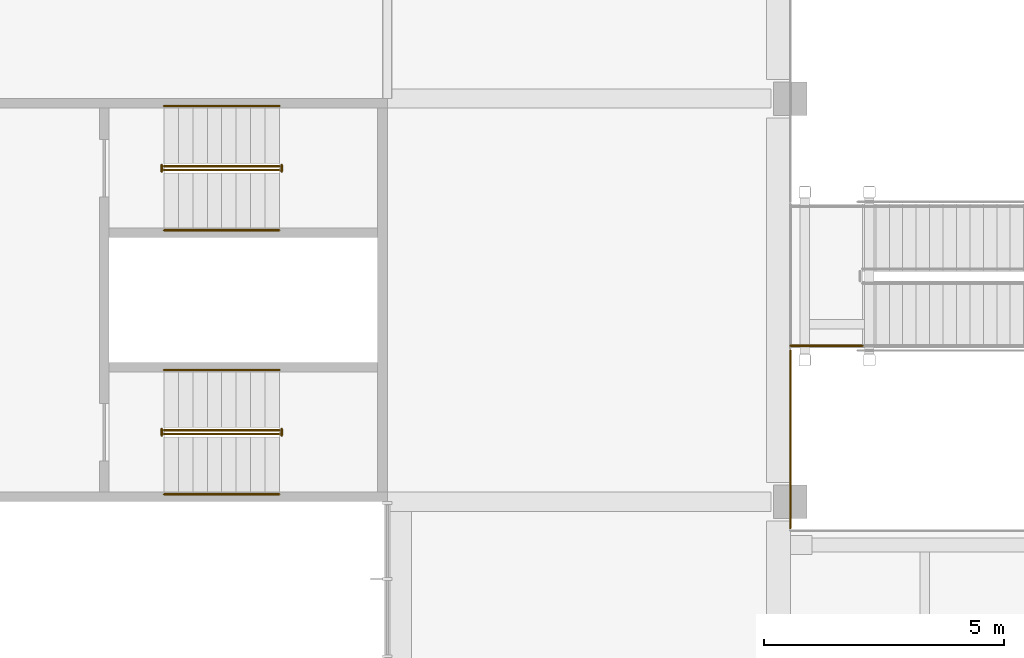
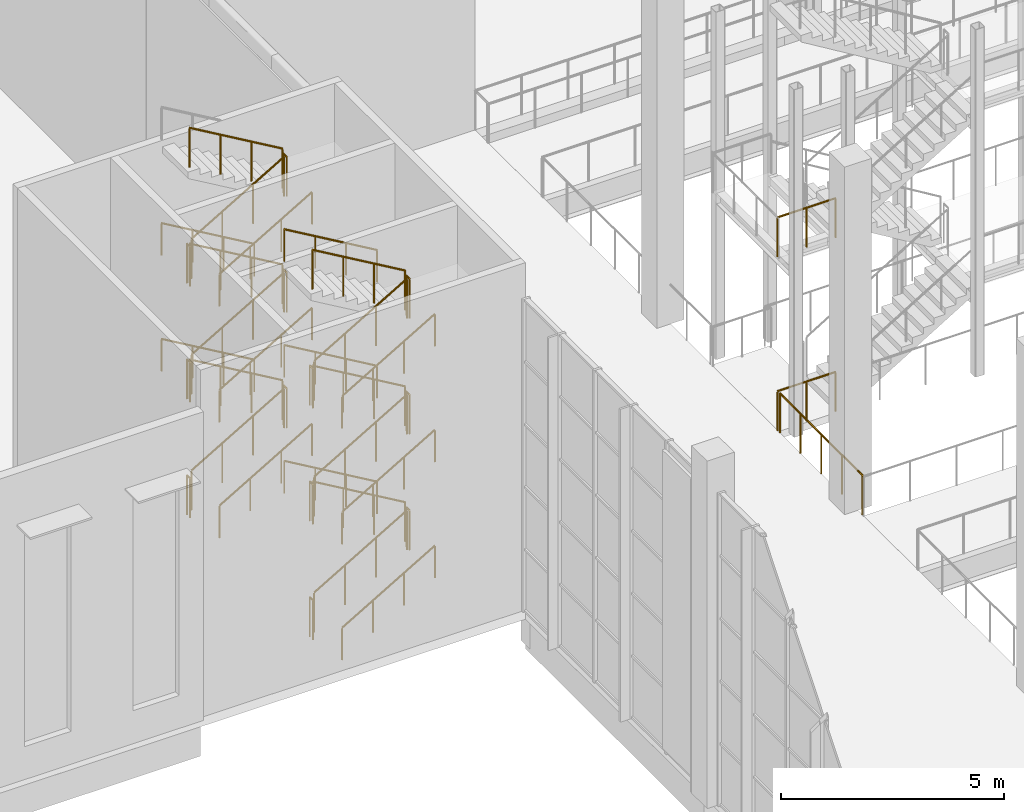
# One storey, part 100 of 114: 38 railings.
"""IFC4 building model written with IfcOpenShell, lengths in metres."""

from ifc_helpers import new_model, si_unit, direction, frame, origin, origin_2d, place, context, subcontext, project, spatial, circle, extrude, material, type_object, element, save


model = new_model("IFC4")

# Units and contexts
model_context = context("Model", 3, precision=1e-05, world=origin(), true_north=direction((0.0, 1.0)))
body_context = subcontext(model_context, "Body", "Model", "MODEL_VIEW")
ifc_project = project(units=[si_unit("LENGTHUNIT", "METRE"), si_unit("AREAUNIT", "SQUARE_METRE"), si_unit("VOLUMEUNIT", "CUBIC_METRE"), si_unit("PLANEANGLEUNIT", "RADIAN"), si_unit("MASSUNIT", "GRAM", prefix="KILO")], contexts=[model_context])

# Site, building, storey
site_placement = place(None, origin())
site = spatial("IfcSite", under=ifc_project, at=site_placement, CompositionType="ELEMENT")
building_placement = place(site_placement, origin())
building = spatial("IfcBuilding", under=site, at=building_placement, Name="Almond Square Museum", CompositionType="ELEMENT")
storey_placement = place(building_placement, frame((0.0, 0.0, 10.5)))
storey = spatial("IfcBuildingStorey", under=building, at=storey_placement, Name="L02", CompositionType="ELEMENT", Elevation=10.5)

# Railings
ifc_material_1 = material(Name="Laminated glass and stainless steel", Category="steel")
railing_type_1 = type_object("IfcRailingType", Name="Atrium guard 1100 glass balustrade", PredefinedType="GUARDRAIL", material=ifc_material_1)
railing_1_placement = place(storey_placement, frame((81.60009765625, 83.449951171875, 0.0)))
element("IfcRailing", 1, at=railing_1_placement, inside=storey, type_object=railing_type_1, Name="L02 atrium guard 2", PredefinedType="GUARDRAIL", context=body_context, shape_type="SweptSolid", body=[
    extrude(circle(Radius=0.02392578125, at=origin_2d()), frame((0.0, 0.0, 1.076171875), z_axis=(0.0, 1.0, 0.0), x_axis=(-1.0, 0.0, 0.0)), (0.0, 0.0, 1.0), 3.699951171875),
    extrude(circle(Radius=0.02099609375, at=origin_2d()), origin(), (0.0, 0.0, 1.0), 1.052001953125),
    extrude(circle(Radius=0.02099609375, at=origin_2d()), frame((0.0, 0.925048828125, 0.0)), (0.0, 0.0, 1.0), 1.052001953125),
    extrude(circle(Radius=0.02099609375, at=origin_2d()), frame((0.0, 1.85009765625, 0.0)), (0.0, 0.0, 1.0), 1.052001953125),
    extrude(circle(Radius=0.02099609375, at=origin_2d()), frame((0.0, 2.77490234375, 0.0)), (0.0, 0.0, 1.0), 1.052001953125),
    extrude(circle(Radius=0.02099609375, at=origin_2d()), frame((0.0, 3.699951171875, 0.0)), (0.0, 0.0, 1.0), 1.052001953125),
])
ifc_material_2 = material(Name="Stainless steel and laminated glass", Category="steel")
railing_type_2 = type_object("IfcRailingType", Name="Stair guard 1100 steel and glass", PredefinedType="GUARDRAIL", material=ifc_material_2)
railing_2_placement = place(storey_placement, frame((68.550048828125, 85.409912109375, 0.176025390625)))
element("IfcRailing", 2, at=railing_2_placement, inside=storey, type_object=railing_type_2, Name="L02 ST-19 stair guard 1", PredefinedType="GUARDRAIL", context=body_context, shape_type="SweptSolid", body=[
    extrude(circle(Radius=0.02392578125, at=origin_2d()), frame((0.0, 0.0, 1.076171875), z_axis=(0.862637233918, 0.0, 0.505823094232), x_axis=(0.0, 1.0, 0.0)), (0.0, 0.0, 1.0), 2.781982421875),
    extrude(circle(Radius=0.02099609375, at=origin_2d()), origin(), (0.0, 0.0, 1.0), 1.052001953125),
    extrude(circle(Radius=0.02099609375, at=origin_2d()), frame((0.800048828125, 0.0, 0.468994140625)), (0.0, 0.0, 1.0), 1.052001953125),
    extrude(circle(Radius=0.02099609375, at=origin_2d()), frame((1.599853515625, 0.0, 0.938232421875)), (0.0, 0.0, 1.0), 1.052001953125),
    extrude(circle(Radius=0.02099609375, at=origin_2d()), frame((2.39990234375, 0.0, 1.4072265625)), (0.0, 0.0, 1.0), 1.052001953125),
])
railing_3_placement = place(storey_placement, frame((71.0, 85.3798828125, 1.583251953125)))
element("IfcRailing", 3, at=railing_3_placement, inside=storey, type_object=railing_type_2, Name="L02 ST-19 stair guard 2", PredefinedType="GUARDRAIL", context=body_context, shape_type="SweptSolid", body=[
    extrude(circle(Radius=0.02392578125, at=origin_2d()), frame((0.0, 0.0, 1.076171875), z_axis=(0.0, 1.0, 0.0), x_axis=(-1.0, 0.0, 0.0)), (0.0, 0.0, 1.0), 0.14013671875),
    extrude(circle(Radius=0.02099609375, at=origin_2d()), origin(), (0.0, 0.0, 1.0), 1.052001953125),
    extrude(circle(Radius=0.02099609375, at=origin_2d()), frame((0.0, 0.14013671875, 0.0)), (0.0, 0.0, 1.0), 1.052001953125),
])
railing_4_placement = place(storey_placement, frame((70.949951171875, 85.489990234375, 1.75927734375)))
element("IfcRailing", 4, at=railing_4_placement, inside=storey, type_object=railing_type_2, Name="L02 ST-19 stair guard 3", PredefinedType="GUARDRAIL", context=body_context, shape_type="SweptSolid", body=[
    extrude(circle(Radius=0.02392578125, at=origin_2d()), frame((0.0, 0.0, 1.076171875), z_axis=(-0.86259894172, 0.0, 0.505888392576), x_axis=(0.0, -1.0, 0.0)), (0.0, 0.0, 1.0), 2.7822265625),
    extrude(circle(Radius=0.02099609375, at=origin_2d()), origin(), (0.0, 0.0, 1.0), 1.052001953125),
    extrude(circle(Radius=0.02099609375, at=origin_2d()), frame((-0.800048828125, 0.0, 0.46923828125)), (0.0, 0.0, 1.0), 1.052001953125),
    extrude(circle(Radius=0.02099609375, at=origin_2d()), frame((-1.599853515625, 0.0, 0.938232421875)), (0.0, 0.0, 1.0), 1.052001953125),
    extrude(circle(Radius=0.02099609375, at=origin_2d()), frame((-2.39990234375, 0.0, 1.407470703125)), (0.0, 0.0, 1.0), 1.052001953125),
])
railing_5_placement = place(storey_placement, frame((68.5, 85.3798828125, 3.166748046875)))
element("IfcRailing", 5, at=railing_5_placement, inside=storey, type_object=railing_type_2, Name="L02 ST-19 stair guard 4", PredefinedType="GUARDRAIL", context=body_context, shape_type="SweptSolid", body=[
    extrude(circle(Radius=0.02392578125, at=origin_2d()), frame((0.0, 0.0, 1.076171875), z_axis=(0.0, 1.0, 0.0), x_axis=(-1.0, 0.0, 0.0)), (0.0, 0.0, 1.0), 0.14013671875),
    extrude(circle(Radius=0.02099609375, at=origin_2d()), origin(), (0.0, 0.0, 1.0), 1.052001953125),
    extrude(circle(Radius=0.02099609375, at=origin_2d()), frame((0.0, 0.14013671875, 0.0)), (0.0, 0.0, 1.0), 1.052001953125),
])
railing_6_placement = place(storey_placement, frame((68.550048828125, 85.409912109375, 3.342529296875)))
element("IfcRailing", 6, at=railing_6_placement, inside=storey, type_object=railing_type_2, Name="L02 ST-19 stair guard 5", PredefinedType="GUARDRAIL", context=body_context, shape_type="SweptSolid", body=[
    extrude(circle(Radius=0.02392578125, at=origin_2d()), frame((0.0, 0.0, 1.076171875), z_axis=(0.86259894172, 0.0, 0.505888392576), x_axis=(0.0, 1.0, 0.0)), (0.0, 0.0, 1.0), 2.7822265625),
    extrude(circle(Radius=0.02099609375, at=origin_2d()), origin(), (0.0, 0.0, 1.0), 1.052001953125),
    extrude(circle(Radius=0.02099609375, at=origin_2d()), frame((0.800048828125, 0.0, 0.46923828125)), (0.0, 0.0, 1.0), 1.052001953125),
    extrude(circle(Radius=0.02099609375, at=origin_2d()), frame((1.599853515625, 0.0, 0.938232421875)), (0.0, 0.0, 1.0), 1.052001953125),
    extrude(circle(Radius=0.02099609375, at=origin_2d()), frame((2.39990234375, 0.0, 1.407470703125)), (0.0, 0.0, 1.0), 1.052001953125),
])
railing_7_placement = place(storey_placement, frame((71.0, 85.3798828125, 4.75)))
element("IfcRailing", 7, at=railing_7_placement, inside=storey, type_object=railing_type_2, Name="L02 ST-19 stair guard 6", PredefinedType="GUARDRAIL", context=body_context, shape_type="SweptSolid", body=[
    extrude(circle(Radius=0.02392578125, at=origin_2d()), frame((0.0, 0.0, 1.076171875), z_axis=(0.0, 1.0, 0.0), x_axis=(-1.0, 0.0, 0.0)), (0.0, 0.0, 1.0), 0.14013671875),
    extrude(circle(Radius=0.02099609375, at=origin_2d()), origin(), (0.0, 0.0, 1.0), 1.052001953125),
    extrude(circle(Radius=0.02099609375, at=origin_2d()), frame((0.0, 0.14013671875, 0.0)), (0.0, 0.0, 1.0), 1.052001953125),
])
railing_8_placement = place(storey_placement, frame((70.949951171875, 85.489990234375, 4.926025390625)))
element("IfcRailing", 8, at=railing_8_placement, inside=storey, type_object=railing_type_2, Name="L02 ST-19 stair guard 7", PredefinedType="GUARDRAIL", context=body_context, shape_type="SweptSolid", body=[
    extrude(circle(Radius=0.02392578125, at=origin_2d()), frame((0.0, 0.0, 1.076171875), z_axis=(-0.862637233918, 0.0, 0.505823094232), x_axis=(0.0, -1.0, 0.0)), (0.0, 0.0, 1.0), 2.781982421875),
    extrude(circle(Radius=0.02099609375, at=origin_2d()), origin(), (0.0, 0.0, 1.0), 1.052001953125),
    extrude(circle(Radius=0.02099609375, at=origin_2d()), frame((-0.800048828125, 0.0, 0.468994140625)), (0.0, 0.0, 1.0), 1.052001953125),
    extrude(circle(Radius=0.02099609375, at=origin_2d()), frame((-1.599853515625, 0.0, 0.938232421875)), (0.0, 0.0, 1.0), 1.052001953125),
    extrude(circle(Radius=0.02099609375, at=origin_2d()), frame((-2.39990234375, 0.0, 1.4072265625)), (0.0, 0.0, 1.0), 1.052001953125),
])
railing_9_placement = place(storey_placement, frame((68.5, 85.3798828125, 6.333251953125)))
element("IfcRailing", 9, at=railing_9_placement, inside=storey, type_object=railing_type_2, Name="L02 ST-19 stair guard 8", PredefinedType="GUARDRAIL", context=body_context, shape_type="SweptSolid", body=[
    extrude(circle(Radius=0.02392578125, at=origin_2d()), frame((0.0, 0.0, 1.076171875), z_axis=(0.0, 1.0, 0.0), x_axis=(-1.0, 0.0, 0.0)), (0.0, 0.0, 1.0), 0.14013671875),
    extrude(circle(Radius=0.02099609375, at=origin_2d()), origin(), (0.0, 0.0, 1.0), 1.052001953125),
    extrude(circle(Radius=0.02099609375, at=origin_2d()), frame((0.0, 0.14013671875, 0.0)), (0.0, 0.0, 1.0), 1.052001953125),
])
railing_10_placement = place(storey_placement, frame((68.550048828125, 85.409912109375, 6.50927734375)))
element("IfcRailing", 10, at=railing_10_placement, inside=storey, type_object=railing_type_2, Name="L02 ST-19 stair guard 9", PredefinedType="GUARDRAIL", context=body_context, shape_type="SweptSolid", body=[
    extrude(circle(Radius=0.02392578125, at=origin_2d()), frame((0.0, 0.0, 1.076171875), z_axis=(0.86259894172, 0.0, 0.505888392576), x_axis=(0.0, 1.0, 0.0)), (0.0, 0.0, 1.0), 2.7822265625),
    extrude(circle(Radius=0.02099609375, at=origin_2d()), origin(), (0.0, 0.0, 1.0), 1.052001953125),
    extrude(circle(Radius=0.02099609375, at=origin_2d()), frame((0.800048828125, 0.0, 0.46923828125)), (0.0, 0.0, 1.0), 1.052001953125),
    extrude(circle(Radius=0.02099609375, at=origin_2d()), frame((1.599853515625, 0.0, 0.938232421875)), (0.0, 0.0, 1.0), 1.052001953125),
    extrude(circle(Radius=0.02099609375, at=origin_2d()), frame((2.39990234375, 0.0, 1.407470703125)), (0.0, 0.0, 1.0), 1.052001953125),
])
railing_11_placement = place(storey_placement, frame((71.0, 85.3798828125, 7.916748046875)))
element("IfcRailing", 11, at=railing_11_placement, inside=storey, type_object=railing_type_2, Name="L02 ST-19 stair guard 10", PredefinedType="GUARDRAIL", context=body_context, shape_type="SweptSolid", body=[
    extrude(circle(Radius=0.02392578125, at=origin_2d()), frame((0.0, 0.0, 1.076171875), z_axis=(0.0, 1.0, 0.0), x_axis=(-1.0, 0.0, 0.0)), (0.0, 0.0, 1.0), 0.14013671875),
    extrude(circle(Radius=0.02099609375, at=origin_2d()), origin(), (0.0, 0.0, 1.0), 1.052001953125),
    extrude(circle(Radius=0.02099609375, at=origin_2d()), frame((0.0, 0.14013671875, 0.0)), (0.0, 0.0, 1.0), 1.052001953125),
])
railing_12_placement = place(storey_placement, frame((70.949951171875, 85.489990234375, 8.092529296875)))
element("IfcRailing", 12, at=railing_12_placement, inside=storey, type_object=railing_type_2, Name="L02 ST-19 stair guard 11", PredefinedType="GUARDRAIL", context=body_context, shape_type="SweptSolid", body=[
    extrude(circle(Radius=0.02392578125, at=origin_2d()), frame((0.0, 0.0, 1.076171875), z_axis=(-0.86259894172, 0.0, 0.505888392576), x_axis=(0.0, -1.0, 0.0)), (0.0, 0.0, 1.0), 2.7822265625),
    extrude(circle(Radius=0.02099609375, at=origin_2d()), origin(), (0.0, 0.0, 1.0), 1.052001953125),
    extrude(circle(Radius=0.02099609375, at=origin_2d()), frame((-0.800048828125, 0.0, 0.46923828125)), (0.0, 0.0, 1.0), 1.052001953125),
    extrude(circle(Radius=0.02099609375, at=origin_2d()), frame((-1.599853515625, 0.0, 0.938232421875)), (0.0, 0.0, 1.0), 1.052001953125),
    extrude(circle(Radius=0.02099609375, at=origin_2d()), frame((-2.39990234375, 0.0, 1.407470703125)), (0.0, 0.0, 1.0), 1.052001953125),
])
railing_13_placement = place(storey_placement, frame((68.5, 85.3798828125, 0.0)))
element("IfcRailing", 13, at=railing_13_placement, inside=storey, type_object=railing_type_2, Name="L02 ST-19 stair guard 12", PredefinedType="GUARDRAIL", context=body_context, shape_type="SweptSolid", body=[
    extrude(circle(Radius=0.02392578125, at=origin_2d()), frame((0.0, 0.0, 1.076171875), z_axis=(0.0, 1.0, 0.0), x_axis=(-1.0, 0.0, 0.0)), (0.0, 0.0, 1.0), 0.14013671875),
    extrude(circle(Radius=0.02099609375, at=origin_2d()), origin(), (0.0, 0.0, 1.0), 1.052001953125),
    extrude(circle(Radius=0.02099609375, at=origin_2d()), frame((0.0, 0.14013671875, 0.0)), (0.0, 0.0, 1.0), 1.052001953125),
])
railing_14_placement = place(storey_placement, frame((68.550048828125, 90.909912109375, 0.176025390625)))
element("IfcRailing", 14, at=railing_14_placement, inside=storey, type_object=railing_type_2, Name="L02 ST-20 stair guard 1", PredefinedType="GUARDRAIL", context=body_context, shape_type="SweptSolid", body=[
    extrude(circle(Radius=0.02392578125, at=origin_2d()), frame((0.0, 0.0, 1.076171875), z_axis=(0.862637233918, 0.0, 0.505823094232), x_axis=(0.0, 1.0, 0.0)), (0.0, 0.0, 1.0), 2.781982421875),
    extrude(circle(Radius=0.02099609375, at=origin_2d()), origin(), (0.0, 0.0, 1.0), 1.052001953125),
    extrude(circle(Radius=0.02099609375, at=origin_2d()), frame((0.800048828125, 0.0, 0.468994140625)), (0.0, 0.0, 1.0), 1.052001953125),
    extrude(circle(Radius=0.02099609375, at=origin_2d()), frame((1.599853515625, 0.0, 0.938232421875)), (0.0, 0.0, 1.0), 1.052001953125),
    extrude(circle(Radius=0.02099609375, at=origin_2d()), frame((2.39990234375, 0.0, 1.4072265625)), (0.0, 0.0, 1.0), 1.052001953125),
])
railing_15_placement = place(storey_placement, frame((71.0, 90.8798828125, 1.583251953125)))
element("IfcRailing", 15, at=railing_15_placement, inside=storey, type_object=railing_type_2, Name="L02 ST-20 stair guard 2", PredefinedType="GUARDRAIL", context=body_context, shape_type="SweptSolid", body=[
    extrude(circle(Radius=0.02392578125, at=origin_2d()), frame((0.0, 0.0, 1.076171875), z_axis=(0.0, 1.0, 0.0), x_axis=(-1.0, 0.0, 0.0)), (0.0, 0.0, 1.0), 0.14013671875),
    extrude(circle(Radius=0.02099609375, at=origin_2d()), origin(), (0.0, 0.0, 1.0), 1.052001953125),
    extrude(circle(Radius=0.02099609375, at=origin_2d()), frame((0.0, 0.14013671875, 0.0)), (0.0, 0.0, 1.0), 1.052001953125),
])
railing_16_placement = place(storey_placement, frame((70.949951171875, 90.989990234375, 1.75927734375)))
element("IfcRailing", 16, at=railing_16_placement, inside=storey, type_object=railing_type_2, Name="L02 ST-20 stair guard 3", PredefinedType="GUARDRAIL", context=body_context, shape_type="SweptSolid", body=[
    extrude(circle(Radius=0.02392578125, at=origin_2d()), frame((0.0, 0.0, 1.076171875), z_axis=(-0.86259894172, 0.0, 0.505888392576), x_axis=(0.0, -1.0, 0.0)), (0.0, 0.0, 1.0), 2.7822265625),
    extrude(circle(Radius=0.02099609375, at=origin_2d()), origin(), (0.0, 0.0, 1.0), 1.052001953125),
    extrude(circle(Radius=0.02099609375, at=origin_2d()), frame((-0.800048828125, 0.0, 0.46923828125)), (0.0, 0.0, 1.0), 1.052001953125),
    extrude(circle(Radius=0.02099609375, at=origin_2d()), frame((-1.599853515625, 0.0, 0.938232421875)), (0.0, 0.0, 1.0), 1.052001953125),
    extrude(circle(Radius=0.02099609375, at=origin_2d()), frame((-2.39990234375, 0.0, 1.407470703125)), (0.0, 0.0, 1.0), 1.052001953125),
])
railing_17_placement = place(storey_placement, frame((68.5, 90.8798828125, 3.166748046875)))
element("IfcRailing", 17, at=railing_17_placement, inside=storey, type_object=railing_type_2, Name="L02 ST-20 stair guard 4", PredefinedType="GUARDRAIL", context=body_context, shape_type="SweptSolid", body=[
    extrude(circle(Radius=0.02392578125, at=origin_2d()), frame((0.0, 0.0, 1.076171875), z_axis=(0.0, 1.0, 0.0), x_axis=(-1.0, 0.0, 0.0)), (0.0, 0.0, 1.0), 0.14013671875),
    extrude(circle(Radius=0.02099609375, at=origin_2d()), origin(), (0.0, 0.0, 1.0), 1.052001953125),
    extrude(circle(Radius=0.02099609375, at=origin_2d()), frame((0.0, 0.14013671875, 0.0)), (0.0, 0.0, 1.0), 1.052001953125),
])
railing_18_placement = place(storey_placement, frame((68.550048828125, 90.909912109375, 3.342529296875)))
element("IfcRailing", 18, at=railing_18_placement, inside=storey, type_object=railing_type_2, Name="L02 ST-20 stair guard 5", PredefinedType="GUARDRAIL", context=body_context, shape_type="SweptSolid", body=[
    extrude(circle(Radius=0.02392578125, at=origin_2d()), frame((0.0, 0.0, 1.076171875), z_axis=(0.86259894172, 0.0, 0.505888392576), x_axis=(0.0, 1.0, 0.0)), (0.0, 0.0, 1.0), 2.7822265625),
    extrude(circle(Radius=0.02099609375, at=origin_2d()), origin(), (0.0, 0.0, 1.0), 1.052001953125),
    extrude(circle(Radius=0.02099609375, at=origin_2d()), frame((0.800048828125, 0.0, 0.46923828125)), (0.0, 0.0, 1.0), 1.052001953125),
    extrude(circle(Radius=0.02099609375, at=origin_2d()), frame((1.599853515625, 0.0, 0.938232421875)), (0.0, 0.0, 1.0), 1.052001953125),
    extrude(circle(Radius=0.02099609375, at=origin_2d()), frame((2.39990234375, 0.0, 1.407470703125)), (0.0, 0.0, 1.0), 1.052001953125),
])
railing_19_placement = place(storey_placement, frame((71.0, 90.8798828125, 4.75)))
element("IfcRailing", 19, at=railing_19_placement, inside=storey, type_object=railing_type_2, Name="L02 ST-20 stair guard 6", PredefinedType="GUARDRAIL", context=body_context, shape_type="SweptSolid", body=[
    extrude(circle(Radius=0.02392578125, at=origin_2d()), frame((0.0, 0.0, 1.076171875), z_axis=(0.0, 1.0, 0.0), x_axis=(-1.0, 0.0, 0.0)), (0.0, 0.0, 1.0), 0.14013671875),
    extrude(circle(Radius=0.02099609375, at=origin_2d()), origin(), (0.0, 0.0, 1.0), 1.052001953125),
    extrude(circle(Radius=0.02099609375, at=origin_2d()), frame((0.0, 0.14013671875, 0.0)), (0.0, 0.0, 1.0), 1.052001953125),
])
railing_20_placement = place(storey_placement, frame((70.949951171875, 90.989990234375, 4.926025390625)))
element("IfcRailing", 20, at=railing_20_placement, inside=storey, type_object=railing_type_2, Name="L02 ST-20 stair guard 7", PredefinedType="GUARDRAIL", context=body_context, shape_type="SweptSolid", body=[
    extrude(circle(Radius=0.02392578125, at=origin_2d()), frame((0.0, 0.0, 1.076171875), z_axis=(-0.862637233918, 0.0, 0.505823094232), x_axis=(0.0, -1.0, 0.0)), (0.0, 0.0, 1.0), 2.781982421875),
    extrude(circle(Radius=0.02099609375, at=origin_2d()), origin(), (0.0, 0.0, 1.0), 1.052001953125),
    extrude(circle(Radius=0.02099609375, at=origin_2d()), frame((-0.800048828125, 0.0, 0.468994140625)), (0.0, 0.0, 1.0), 1.052001953125),
    extrude(circle(Radius=0.02099609375, at=origin_2d()), frame((-1.599853515625, 0.0, 0.938232421875)), (0.0, 0.0, 1.0), 1.052001953125),
    extrude(circle(Radius=0.02099609375, at=origin_2d()), frame((-2.39990234375, 0.0, 1.4072265625)), (0.0, 0.0, 1.0), 1.052001953125),
])
railing_21_placement = place(storey_placement, frame((68.5, 90.8798828125, 6.333251953125)))
element("IfcRailing", 21, at=railing_21_placement, inside=storey, type_object=railing_type_2, Name="L02 ST-20 stair guard 8", PredefinedType="GUARDRAIL", context=body_context, shape_type="SweptSolid", body=[
    extrude(circle(Radius=0.02392578125, at=origin_2d()), frame((0.0, 0.0, 1.076171875), z_axis=(0.0, 1.0, 0.0), x_axis=(-1.0, 0.0, 0.0)), (0.0, 0.0, 1.0), 0.14013671875),
    extrude(circle(Radius=0.02099609375, at=origin_2d()), origin(), (0.0, 0.0, 1.0), 1.052001953125),
    extrude(circle(Radius=0.02099609375, at=origin_2d()), frame((0.0, 0.14013671875, 0.0)), (0.0, 0.0, 1.0), 1.052001953125),
])
railing_22_placement = place(storey_placement, frame((68.550048828125, 90.909912109375, 6.50927734375)))
element("IfcRailing", 22, at=railing_22_placement, inside=storey, type_object=railing_type_2, Name="L02 ST-20 stair guard 9", PredefinedType="GUARDRAIL", context=body_context, shape_type="SweptSolid", body=[
    extrude(circle(Radius=0.02392578125, at=origin_2d()), frame((0.0, 0.0, 1.076171875), z_axis=(0.86259894172, 0.0, 0.505888392576), x_axis=(0.0, 1.0, 0.0)), (0.0, 0.0, 1.0), 2.7822265625),
    extrude(circle(Radius=0.02099609375, at=origin_2d()), origin(), (0.0, 0.0, 1.0), 1.052001953125),
    extrude(circle(Radius=0.02099609375, at=origin_2d()), frame((0.800048828125, 0.0, 0.46923828125)), (0.0, 0.0, 1.0), 1.052001953125),
    extrude(circle(Radius=0.02099609375, at=origin_2d()), frame((1.599853515625, 0.0, 0.938232421875)), (0.0, 0.0, 1.0), 1.052001953125),
    extrude(circle(Radius=0.02099609375, at=origin_2d()), frame((2.39990234375, 0.0, 1.407470703125)), (0.0, 0.0, 1.0), 1.052001953125),
])
railing_23_placement = place(storey_placement, frame((71.0, 90.8798828125, 7.916748046875)))
element("IfcRailing", 23, at=railing_23_placement, inside=storey, type_object=railing_type_2, Name="L02 ST-20 stair guard 10", PredefinedType="GUARDRAIL", context=body_context, shape_type="SweptSolid", body=[
    extrude(circle(Radius=0.02392578125, at=origin_2d()), frame((0.0, 0.0, 1.076171875), z_axis=(0.0, 1.0, 0.0), x_axis=(-1.0, 0.0, 0.0)), (0.0, 0.0, 1.0), 0.14013671875),
    extrude(circle(Radius=0.02099609375, at=origin_2d()), origin(), (0.0, 0.0, 1.0), 1.052001953125),
    extrude(circle(Radius=0.02099609375, at=origin_2d()), frame((0.0, 0.14013671875, 0.0)), (0.0, 0.0, 1.0), 1.052001953125),
])
railing_24_placement = place(storey_placement, frame((70.949951171875, 90.989990234375, 8.092529296875)))
element("IfcRailing", 24, at=railing_24_placement, inside=storey, type_object=railing_type_2, Name="L02 ST-20 stair guard 11", PredefinedType="GUARDRAIL", context=body_context, shape_type="SweptSolid", body=[
    extrude(circle(Radius=0.02392578125, at=origin_2d()), frame((0.0, 0.0, 1.076171875), z_axis=(-0.86259894172, 0.0, 0.505888392576), x_axis=(0.0, -1.0, 0.0)), (0.0, 0.0, 1.0), 2.7822265625),
    extrude(circle(Radius=0.02099609375, at=origin_2d()), origin(), (0.0, 0.0, 1.0), 1.052001953125),
    extrude(circle(Radius=0.02099609375, at=origin_2d()), frame((-0.800048828125, 0.0, 0.46923828125)), (0.0, 0.0, 1.0), 1.052001953125),
    extrude(circle(Radius=0.02099609375, at=origin_2d()), frame((-1.599853515625, 0.0, 0.938232421875)), (0.0, 0.0, 1.0), 1.052001953125),
    extrude(circle(Radius=0.02099609375, at=origin_2d()), frame((-2.39990234375, 0.0, 1.407470703125)), (0.0, 0.0, 1.0), 1.052001953125),
])
railing_25_placement = place(storey_placement, frame((68.5, 90.8798828125, 0.0)))
element("IfcRailing", 25, at=railing_25_placement, inside=storey, type_object=railing_type_2, Name="L02 ST-20 stair guard 12", PredefinedType="GUARDRAIL", context=body_context, shape_type="SweptSolid", body=[
    extrude(circle(Radius=0.02392578125, at=origin_2d()), frame((0.0, 0.0, 1.076171875), z_axis=(0.0, 1.0, 0.0), x_axis=(-1.0, 0.0, 0.0)), (0.0, 0.0, 1.0), 0.14013671875),
    extrude(circle(Radius=0.02099609375, at=origin_2d()), origin(), (0.0, 0.0, 1.0), 1.052001953125),
    extrude(circle(Radius=0.02099609375, at=origin_2d()), frame((0.0, 0.14013671875, 0.0)), (0.0, 0.0, 1.0), 1.052001953125),
])
for number, where, name in (
    (26, (81.60009765625, 87.25, 4.75), "L02 ST-F stair guard 8"),
    (27, (81.60009765625, 87.25, 0.0), "L02 ST-F stair guard 17"),
):
    element("IfcRailing", number, at=place(storey_placement, frame(where)), inside=storey, type_object=railing_type_2, Name=name, PredefinedType="GUARDRAIL", context=body_context, shape_type="SweptSolid", body=[
        extrude(circle(Radius=0.02392578125, at=origin_2d()), frame((0.0, 0.0, 1.076171875), z_axis=(1.0, 0.0, 0.0), x_axis=(0.0, 1.0, 0.0)), (0.0, 0.0, 1.0), 1.5),
        extrude(circle(Radius=0.02099609375, at=origin_2d()), origin(), (0.0, 0.0, 1.0), 1.052001953125),
        extrude(circle(Radius=0.02099609375, at=origin_2d()), frame((0.75, 0.0, 0.0)), (0.0, 0.0, 1.0), 1.052001953125),
        extrude(circle(Radius=0.02099609375, at=origin_2d()), frame((1.5, 0.0, 0.0)), (0.0, 0.0, 1.0), 1.052001953125),
    ])
ifc_material_3 = material(Name="Stainless steel", Category="steel")
railing_type_3 = type_object("IfcRailingType", Name="Stair handrail 900 steel", PredefinedType="HANDRAIL", material=ifc_material_3)
railing_26_placement = place(storey_placement, frame((68.550048828125, 84.155029296875, 0.176025390625)))
element("IfcRailing", 28, at=railing_26_placement, inside=storey, type_object=railing_type_3, Name="L02 ST-19 stair handrail 1", PredefinedType="HANDRAIL", context=body_context, shape_type="SweptSolid", body=[
    extrude(circle(Radius=0.02392578125, at=origin_2d()), frame((0.0, 0.0, 0.8759765625), z_axis=(0.862637233918, 0.0, 0.505823094232), x_axis=(0.0, 1.0, 0.0)), (0.0, 0.0, 1.0), 2.781982421875),
    extrude(circle(Radius=0.02099609375, at=origin_2d()), origin(), (0.0, 0.0, 1.0), 0.851806640625),
    extrude(circle(Radius=0.02099609375, at=origin_2d()), frame((0.800048828125, 0.0, 0.468994140625)), (0.0, 0.0, 1.0), 0.851806640625),
    extrude(circle(Radius=0.02099609375, at=origin_2d()), frame((1.599853515625, 0.0, 0.938232421875)), (0.0, 0.0, 1.0), 0.851806640625),
    extrude(circle(Radius=0.02099609375, at=origin_2d()), frame((2.39990234375, 0.0, 1.4072265625)), (0.0, 0.0, 1.0), 0.851806640625),
])
railing_27_placement = place(storey_placement, frame((70.949951171875, 86.7451171875, 1.75927734375)))
element("IfcRailing", 29, at=railing_27_placement, inside=storey, type_object=railing_type_3, Name="L02 ST-19 stair handrail 2", PredefinedType="HANDRAIL", context=body_context, shape_type="SweptSolid", body=[
    extrude(circle(Radius=0.02392578125, at=origin_2d()), frame((0.0, 0.0, 0.8759765625), z_axis=(-0.86259894172, 0.0, 0.505888392576), x_axis=(0.0, -1.0, 0.0)), (0.0, 0.0, 1.0), 2.7822265625),
    extrude(circle(Radius=0.02099609375, at=origin_2d()), origin(), (0.0, 0.0, 1.0), 0.851806640625),
    extrude(circle(Radius=0.02099609375, at=origin_2d()), frame((-0.800048828125, 0.0, 0.46923828125)), (0.0, 0.0, 1.0), 0.851806640625),
    extrude(circle(Radius=0.02099609375, at=origin_2d()), frame((-1.599853515625, 0.0, 0.938232421875)), (0.0, 0.0, 1.0), 0.851806640625),
    extrude(circle(Radius=0.02099609375, at=origin_2d()), frame((-2.39990234375, 0.0, 1.407470703125)), (0.0, 0.0, 1.0), 0.851806640625),
])
railing_28_placement = place(storey_placement, frame((68.550048828125, 84.155029296875, 3.342529296875)))
element("IfcRailing", 30, at=railing_28_placement, inside=storey, type_object=railing_type_3, Name="L02 ST-19 stair handrail 3", PredefinedType="HANDRAIL", context=body_context, shape_type="SweptSolid", body=[
    extrude(circle(Radius=0.02392578125, at=origin_2d()), frame((0.0, 0.0, 0.8759765625), z_axis=(0.86259894172, 0.0, 0.505888392576), x_axis=(0.0, 1.0, 0.0)), (0.0, 0.0, 1.0), 2.7822265625),
    extrude(circle(Radius=0.02099609375, at=origin_2d()), origin(), (0.0, 0.0, 1.0), 0.851806640625),
    extrude(circle(Radius=0.02099609375, at=origin_2d()), frame((0.800048828125, 0.0, 0.46923828125)), (0.0, 0.0, 1.0), 0.851806640625),
    extrude(circle(Radius=0.02099609375, at=origin_2d()), frame((1.599853515625, 0.0, 0.938232421875)), (0.0, 0.0, 1.0), 0.851806640625),
    extrude(circle(Radius=0.02099609375, at=origin_2d()), frame((2.39990234375, 0.0, 1.407470703125)), (0.0, 0.0, 1.0), 0.851806640625),
])
railing_29_placement = place(storey_placement, frame((70.949951171875, 86.7451171875, 4.926025390625)))
element("IfcRailing", 31, at=railing_29_placement, inside=storey, type_object=railing_type_3, Name="L02 ST-19 stair handrail 4", PredefinedType="HANDRAIL", context=body_context, shape_type="SweptSolid", body=[
    extrude(circle(Radius=0.02392578125, at=origin_2d()), frame((0.0, 0.0, 0.8759765625), z_axis=(-0.862637233918, 0.0, 0.505823094232), x_axis=(0.0, -1.0, 0.0)), (0.0, 0.0, 1.0), 2.781982421875),
    extrude(circle(Radius=0.02099609375, at=origin_2d()), origin(), (0.0, 0.0, 1.0), 0.851806640625),
    extrude(circle(Radius=0.02099609375, at=origin_2d()), frame((-0.800048828125, 0.0, 0.468994140625)), (0.0, 0.0, 1.0), 0.851806640625),
    extrude(circle(Radius=0.02099609375, at=origin_2d()), frame((-1.599853515625, 0.0, 0.938232421875)), (0.0, 0.0, 1.0), 0.851806640625),
    extrude(circle(Radius=0.02099609375, at=origin_2d()), frame((-2.39990234375, 0.0, 1.4072265625)), (0.0, 0.0, 1.0), 0.851806640625),
])
railing_30_placement = place(storey_placement, frame((68.550048828125, 84.155029296875, 6.50927734375)))
element("IfcRailing", 32, at=railing_30_placement, inside=storey, type_object=railing_type_3, Name="L02 ST-19 stair handrail 5", PredefinedType="HANDRAIL", context=body_context, shape_type="SweptSolid", body=[
    extrude(circle(Radius=0.02392578125, at=origin_2d()), frame((0.0, 0.0, 0.8759765625), z_axis=(0.86259894172, 0.0, 0.505888392576), x_axis=(0.0, 1.0, 0.0)), (0.0, 0.0, 1.0), 2.7822265625),
    extrude(circle(Radius=0.02099609375, at=origin_2d()), origin(), (0.0, 0.0, 1.0), 0.851806640625),
    extrude(circle(Radius=0.02099609375, at=origin_2d()), frame((0.800048828125, 0.0, 0.46923828125)), (0.0, 0.0, 1.0), 0.851806640625),
    extrude(circle(Radius=0.02099609375, at=origin_2d()), frame((1.599853515625, 0.0, 0.938232421875)), (0.0, 0.0, 1.0), 0.851806640625),
    extrude(circle(Radius=0.02099609375, at=origin_2d()), frame((2.39990234375, 0.0, 1.407470703125)), (0.0, 0.0, 1.0), 0.851806640625),
])
railing_31_placement = place(storey_placement, frame((70.949951171875, 86.7451171875, 8.092529296875)))
element("IfcRailing", 33, at=railing_31_placement, inside=storey, type_object=railing_type_3, Name="L02 ST-19 stair handrail 6", PredefinedType="HANDRAIL", context=body_context, shape_type="SweptSolid", body=[
    extrude(circle(Radius=0.02392578125, at=origin_2d()), frame((0.0, 0.0, 0.8759765625), z_axis=(-0.86259894172, 0.0, 0.505888392576), x_axis=(0.0, -1.0, 0.0)), (0.0, 0.0, 1.0), 2.7822265625),
    extrude(circle(Radius=0.02099609375, at=origin_2d()), origin(), (0.0, 0.0, 1.0), 0.851806640625),
    extrude(circle(Radius=0.02099609375, at=origin_2d()), frame((-0.800048828125, 0.0, 0.46923828125)), (0.0, 0.0, 1.0), 0.851806640625),
    extrude(circle(Radius=0.02099609375, at=origin_2d()), frame((-1.599853515625, 0.0, 0.938232421875)), (0.0, 0.0, 1.0), 0.851806640625),
    extrude(circle(Radius=0.02099609375, at=origin_2d()), frame((-2.39990234375, 0.0, 1.407470703125)), (0.0, 0.0, 1.0), 0.851806640625),
])
railing_32_placement = place(storey_placement, frame((68.550048828125, 89.655029296875, 0.176025390625)))
element("IfcRailing", 34, at=railing_32_placement, inside=storey, type_object=railing_type_3, Name="L02 ST-20 stair handrail 1", PredefinedType="HANDRAIL", context=body_context, shape_type="SweptSolid", body=[
    extrude(circle(Radius=0.02392578125, at=origin_2d()), frame((0.0, 0.0, 0.8759765625), z_axis=(0.862637233918, 0.0, 0.505823094232), x_axis=(0.0, 1.0, 0.0)), (0.0, 0.0, 1.0), 2.781982421875),
    extrude(circle(Radius=0.02099609375, at=origin_2d()), origin(), (0.0, 0.0, 1.0), 0.851806640625),
    extrude(circle(Radius=0.02099609375, at=origin_2d()), frame((0.800048828125, 0.0, 0.468994140625)), (0.0, 0.0, 1.0), 0.851806640625),
    extrude(circle(Radius=0.02099609375, at=origin_2d()), frame((1.599853515625, 0.0, 0.938232421875)), (0.0, 0.0, 1.0), 0.851806640625),
    extrude(circle(Radius=0.02099609375, at=origin_2d()), frame((2.39990234375, 0.0, 1.4072265625)), (0.0, 0.0, 1.0), 0.851806640625),
])
railing_33_placement = place(storey_placement, frame((70.949951171875, 92.2451171875, 1.75927734375)))
element("IfcRailing", 35, at=railing_33_placement, inside=storey, type_object=railing_type_3, Name="L02 ST-20 stair handrail 2", PredefinedType="HANDRAIL", context=body_context, shape_type="SweptSolid", body=[
    extrude(circle(Radius=0.02392578125, at=origin_2d()), frame((0.0, 0.0, 0.8759765625), z_axis=(-0.86259894172, 0.0, 0.505888392576), x_axis=(0.0, -1.0, 0.0)), (0.0, 0.0, 1.0), 2.7822265625),
    extrude(circle(Radius=0.02099609375, at=origin_2d()), origin(), (0.0, 0.0, 1.0), 0.851806640625),
    extrude(circle(Radius=0.02099609375, at=origin_2d()), frame((-0.800048828125, 0.0, 0.46923828125)), (0.0, 0.0, 1.0), 0.851806640625),
    extrude(circle(Radius=0.02099609375, at=origin_2d()), frame((-1.599853515625, 0.0, 0.938232421875)), (0.0, 0.0, 1.0), 0.851806640625),
    extrude(circle(Radius=0.02099609375, at=origin_2d()), frame((-2.39990234375, 0.0, 1.407470703125)), (0.0, 0.0, 1.0), 0.851806640625),
])
railing_34_placement = place(storey_placement, frame((68.550048828125, 89.655029296875, 3.342529296875)))
element("IfcRailing", 36, at=railing_34_placement, inside=storey, type_object=railing_type_3, Name="L02 ST-20 stair handrail 3", PredefinedType="HANDRAIL", context=body_context, shape_type="SweptSolid", body=[
    extrude(circle(Radius=0.02392578125, at=origin_2d()), frame((0.0, 0.0, 0.8759765625), z_axis=(0.86259894172, 0.0, 0.505888392576), x_axis=(0.0, 1.0, 0.0)), (0.0, 0.0, 1.0), 2.7822265625),
    extrude(circle(Radius=0.02099609375, at=origin_2d()), origin(), (0.0, 0.0, 1.0), 0.851806640625),
    extrude(circle(Radius=0.02099609375, at=origin_2d()), frame((0.800048828125, 0.0, 0.46923828125)), (0.0, 0.0, 1.0), 0.851806640625),
    extrude(circle(Radius=0.02099609375, at=origin_2d()), frame((1.599853515625, 0.0, 0.938232421875)), (0.0, 0.0, 1.0), 0.851806640625),
    extrude(circle(Radius=0.02099609375, at=origin_2d()), frame((2.39990234375, 0.0, 1.407470703125)), (0.0, 0.0, 1.0), 0.851806640625),
])
railing_35_placement = place(storey_placement, frame((70.949951171875, 92.2451171875, 4.926025390625)))
element("IfcRailing", 37, at=railing_35_placement, inside=storey, type_object=railing_type_3, Name="L02 ST-20 stair handrail 4", PredefinedType="HANDRAIL", context=body_context, shape_type="SweptSolid", body=[
    extrude(circle(Radius=0.02392578125, at=origin_2d()), frame((0.0, 0.0, 0.8759765625), z_axis=(-0.862637233918, 0.0, 0.505823094232), x_axis=(0.0, -1.0, 0.0)), (0.0, 0.0, 1.0), 2.781982421875),
    extrude(circle(Radius=0.02099609375, at=origin_2d()), origin(), (0.0, 0.0, 1.0), 0.851806640625),
    extrude(circle(Radius=0.02099609375, at=origin_2d()), frame((-0.800048828125, 0.0, 0.468994140625)), (0.0, 0.0, 1.0), 0.851806640625),
    extrude(circle(Radius=0.02099609375, at=origin_2d()), frame((-1.599853515625, 0.0, 0.938232421875)), (0.0, 0.0, 1.0), 0.851806640625),
    extrude(circle(Radius=0.02099609375, at=origin_2d()), frame((-2.39990234375, 0.0, 1.4072265625)), (0.0, 0.0, 1.0), 0.851806640625),
])
railing_36_placement = place(storey_placement, frame((68.550048828125, 89.655029296875, 6.50927734375)))
element("IfcRailing", 38, at=railing_36_placement, inside=storey, type_object=railing_type_3, Name="L02 ST-20 stair handrail 5", PredefinedType="HANDRAIL", context=body_context, shape_type="SweptSolid", body=[
    extrude(circle(Radius=0.02392578125, at=origin_2d()), frame((0.0, 0.0, 0.8759765625), z_axis=(0.86259894172, 0.0, 0.505888392576), x_axis=(0.0, 1.0, 0.0)), (0.0, 0.0, 1.0), 2.7822265625),
    extrude(circle(Radius=0.02099609375, at=origin_2d()), origin(), (0.0, 0.0, 1.0), 0.851806640625),
    extrude(circle(Radius=0.02099609375, at=origin_2d()), frame((0.800048828125, 0.0, 0.46923828125)), (0.0, 0.0, 1.0), 0.851806640625),
    extrude(circle(Radius=0.02099609375, at=origin_2d()), frame((1.599853515625, 0.0, 0.938232421875)), (0.0, 0.0, 1.0), 0.851806640625),
    extrude(circle(Radius=0.02099609375, at=origin_2d()), frame((2.39990234375, 0.0, 1.407470703125)), (0.0, 0.0, 1.0), 0.851806640625),
])

save(model, "model.ifc")
